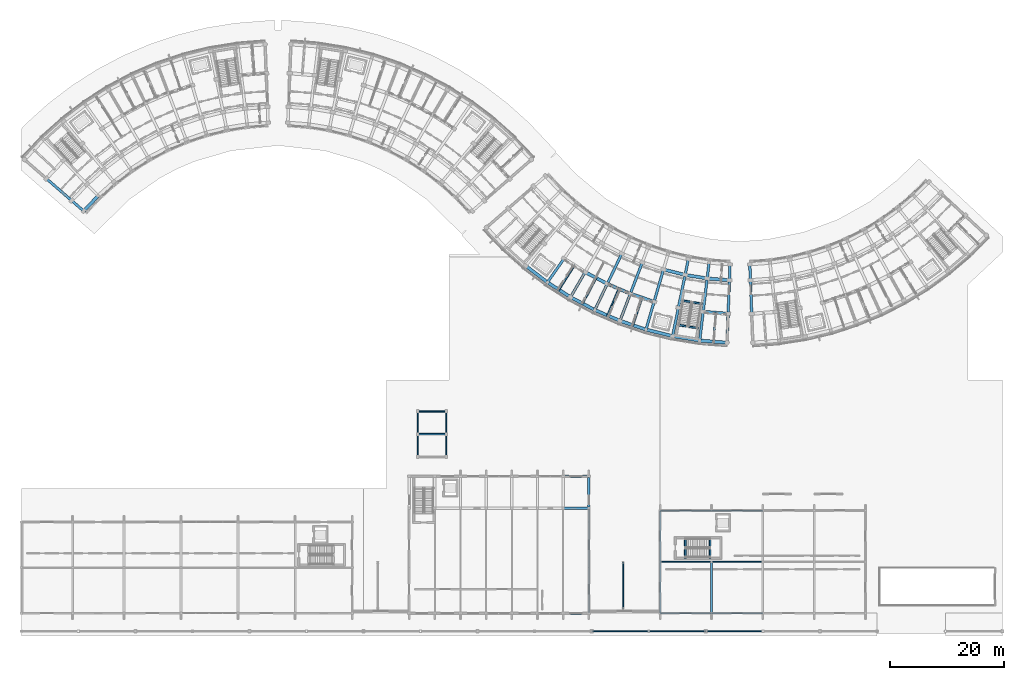
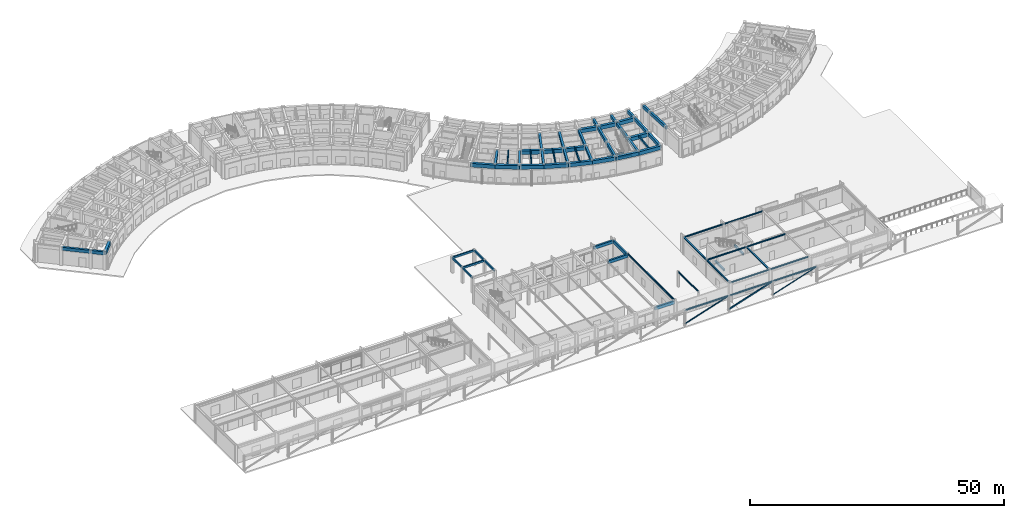
# One storey, part 15 of 61: 70 beams, 3 members.
"""IFC4 building model written with IfcOpenShell, lengths in metres."""

from ifc_helpers import new_model, si_unit, direction, frame, origin, origin_2d, place, context, subcontext, project, spatial, rectangle, hollow_rectangle, i_section, extrude, material, material_profile, profile_set, type_object, element, save


model = new_model("IFC4")

# Units and contexts
model_context = context("Model", 3, precision=1e-05, world=origin(), true_north=direction((0.0, 1.0)))
body_context = subcontext(model_context, "Body", "Model", "MODEL_VIEW")
ifc_project = project(units=[si_unit("LENGTHUNIT", "METRE"), si_unit("AREAUNIT", "SQUARE_METRE"), si_unit("VOLUMEUNIT", "CUBIC_METRE"), si_unit("PLANEANGLEUNIT", "RADIAN"), si_unit("MASSUNIT", "GRAM", prefix="KILO")], contexts=[model_context])

# Site, building, storey
site_placement = place(None, origin())
site = spatial("IfcSite", under=ifc_project, at=site_placement, CompositionType="ELEMENT")
building_placement = place(site_placement, origin())
building = spatial("IfcBuilding", under=site, at=building_placement, Name="Zimvara Arc Housing Community", CompositionType="ELEMENT")
storey_placement = place(building_placement, origin())
storey = spatial("IfcBuildingStorey", under=building, at=storey_placement, Name="L00", CompositionType="ELEMENT", Elevation=0.0)

# Beams
ifc_material_1 = material(Name="Concrete C40/50", Category="concrete")
ifc_material_profile_1 = material_profile(ifc_material_1, rectangle(XDim=0.25, YDim=0.449951171875, at=origin_2d()), Name="RC 250x450")
ifc_profile_set_1 = profile_set([ifc_material_profile_1], Name="Concrete C40/50")
beam_type_1 = type_object("IfcBeamType", Name="BM-RC-250x450", PredefinedType="JOIST", material=ifc_profile_set_1)
for number, where, z_axis, x_axis, name in (
    (1, (97.00244140625, 64.583984375, 4.034912109375), (-0.539052331508, -0.842272274206, 0.0), (0.842272274206, -0.539052331508, 0.0), "bm:blkC:L00:joist:b3"),
    (2, (100.793212890625, 62.37060546875, 4.034912109375), (-0.46853732736, -0.883443701019, 0.0), (0.883443701019, -0.46853732736, 0.0), "bm:blkC:L00:joist:b4"),
    (3, (104.751953125, 60.473876953125, 4.034912109375), (-0.394946561353, -0.918704094731, 0.0), (0.918704094731, -0.394946561353, 0.0), "bm:blkC:L00:joist:b5"),
    (4, (108.85205078125, 58.906494140625, 4.034912109375), (-0.318622196545, -0.947881794249, 0.0), (0.947881794249, -0.318622196545, 0.0), "bm:blkC:L00:joist:b6"),
    (5, (121.72509765625, 56.2734375, 4.034912109375), (-0.079171686291, -0.99686099537, 0.0), (0.99686099537, -0.079171686291, 0.0), "bm:blkC:L00:joist:b9"),
):
    element("IfcBeam", number, at=place(storey_placement, frame(where, z_axis=z_axis, x_axis=x_axis)), inside=storey, type_object=beam_type_1, Name=name, PredefinedType="JOIST", context=body_context, shape_type="SweptSolid", body=[
        extrude(rectangle(XDim=0.25, YDim=0.449951171875, at=origin_2d()), origin(), (0.0, 0.0, 1.0), 5.07568359375),
    ])
ifc_material_2 = material(Name="Concrete C40/50", Category="concrete")
ifc_material_profile_2 = material_profile(ifc_material_2, rectangle(XDim=0.300048828125, YDim=0.5, at=origin_2d()), Name="RC 300x500")
ifc_profile_set_2 = profile_set([ifc_material_profile_2], Name="Concrete C40/50")
beam_type_2 = type_object("IfcBeamType", Name="BM-RC-300x500", PredefinedType="BEAM", material=ifc_profile_set_2)
beam_1_placement = place(storey_placement, frame((115.822265625, 58.423095703125, -0.25), z_axis=(0.987080057935, -0.160227835371, 0.0), x_axis=(0.160227835371, 0.987080057935, 0.0)))
element("IfcBeam", 6, at=beam_1_placement, inside=storey, type_object=beam_type_2, Name="bm:stair_trim:ST-C2:L00:near", PredefinedType="BEAM", context=body_context, shape_type="SweptSolid", body=[
    extrude(rectangle(XDim=0.300048828125, YDim=0.5, at=origin_2d()), origin(), (0.0, 0.0, 1.0), 3.570068359375),
])
beam_2_placement = place(storey_placement, frame((115.126953125, 54.13916015625, 2.0), z_axis=(0.987078302092, -0.160238651826, 0.0), x_axis=(0.160238651826, 0.987078302092, 0.0)))
element("IfcBeam", 7, at=beam_2_placement, inside=storey, type_object=beam_type_2, Name="bm:stair_trim:ST-C2:L00:mid", PredefinedType="BEAM", context=body_context, shape_type="SweptSolid", body=[
    extrude(rectangle(XDim=0.300048828125, YDim=0.5, at=origin_2d()), origin(), (0.0, 0.0, 1.0), 3.56982421875),
])
for number, where, z_axis, x_axis, name in (
    (8, (116.3798828125, 13.2548828125, -0.25), (0.0, 1.0, 0.0), (-1.0, 0.0, 0.0), "bm:stair_trim:ST-N1:L00:near"),
    (9, (120.748046875, 13.2548828125, 2.0), (0.0, 1.0, 0.0), (-1.0, 0.0, 0.0), "bm:stair_trim:ST-N1:L00:mid"),
):
    element("IfcBeam", number, at=place(storey_placement, frame(where, z_axis=z_axis, x_axis=x_axis)), inside=storey, type_object=beam_type_2, Name=name, PredefinedType="BEAM", context=body_context, shape_type="SweptSolid", body=[
        extrude(rectangle(XDim=0.300048828125, YDim=0.5, at=origin_2d()), origin(), (0.0, 0.0, 1.0), 3.570068359375),
    ])
ifc_material_3 = material(Name="Concrete C40/50", Category="concrete")
ifc_material_profile_3 = material_profile(ifc_material_3, rectangle(XDim=0.39990234375, YDim=0.699951171875, at=origin_2d()), Name="RC 400x700")
ifc_profile_set_3 = profile_set([ifc_material_profile_3], Name="Concrete C40/50")
beam_type_3 = type_object("IfcBeamType", Name="BM-RC-400x700", PredefinedType="BEAM", material=ifc_profile_set_3)
for number, where, z_axis, x_axis, name in (
    (10, (95.0, 3.60009765625, 3.889892578125), (1.0, 0.0, 0.0), (0.0, 1.0, 0.0), "bm:hall:L00:long:y0:b6"),
    (11, (95.0, 22.0, 3.889892578125), (1.0, 0.0, 0.0), (0.0, 1.0, 0.0), "bm:hall:L00:long:y1:b6"),
    (12, (95.0, 27.60009765625, 3.889892578125), (1.0, 0.0, 0.0), (0.0, 1.0, 0.0), "bm:hall:L00:long:y2:b6"),
):
    element("IfcBeam", number, at=place(storey_placement, frame(where, z_axis=z_axis, x_axis=x_axis)), inside=storey, type_object=beam_type_3, Name=name, PredefinedType="BEAM", context=body_context, shape_type="SweptSolid", body=[
        extrude(rectangle(XDim=0.39990234375, YDim=0.699951171875, at=origin_2d()), origin(), (0.0, 0.0, 1.0), 4.5),
    ])
beam_3_placement = place(storey_placement, frame((99.5, 22.0, 3.889892578125), z_axis=(0.0, 1.0, 0.0), x_axis=(-1.0, 0.0, 0.0)))
element("IfcBeam", 13, at=beam_3_placement, inside=storey, type_object=beam_type_3, Name="bm:hall:L00:trans2:x7", PredefinedType="BEAM", context=body_context, shape_type="SweptSolid", body=[
    extrude(rectangle(XDim=0.39990234375, YDim=0.699951171875, at=origin_2d()), origin(), (0.0, 0.0, 1.0), 5.60009765625),
])
ifc_material_4 = material(Name="Concrete C40/50", Category="concrete")
ifc_material_profile_4 = material_profile(ifc_material_4, rectangle(XDim=0.449951171875, YDim=0.75, at=origin_2d()), Name="RC 450x750")
ifc_profile_set_4 = profile_set([ifc_material_profile_4], Name="Concrete C40/50")
beam_type_4 = type_object("IfcBeamType", Name="BM-RC-450x750", PredefinedType="BEAM", material=ifc_profile_set_4)
beam_4_placement = place(storey_placement, frame((10.947509765625, 74.101318359375, 3.885009765625), z_axis=(-0.754733151583, 0.656031912259, 0.0), x_axis=(-0.656031912259, -0.754733151583, 0.0)))
element("IfcBeam", 14, at=beam_4_placement, inside=storey, type_object=beam_type_4, Name="bm:blkA:L00:rad:b0:r01", PredefinedType="BEAM", context=body_context, shape_type="SweptSolid", body=[
    extrude(rectangle(XDim=0.449951171875, YDim=0.75, at=origin_2d()), origin(), (0.0, 0.0, 1.0), 2.800048828125),
])
beam_5_placement = place(storey_placement, frame((8.834228515625, 75.938232421875, 3.885009765625), z_axis=(-0.754692223258, 0.656078995362, 0.0), x_axis=(-0.656078995362, -0.754692223258, 0.0)))
element("IfcBeam", 15, at=beam_5_placement, inside=storey, type_object=beam_type_4, Name="bm:blkA:L00:rad:b0:r12", PredefinedType="BEAM", context=body_context, shape_type="SweptSolid", body=[
    extrude(rectangle(XDim=0.449951171875, YDim=0.75, at=origin_2d()), origin(), (0.0, 0.0, 1.0), 5.8798828125),
])
beam_6_placement = place(storey_placement, frame((95.15234375, 65.76806640625, 3.885009765625), z_axis=(-0.573007469479, -0.819550144848, 0.0), x_axis=(0.819550144848, -0.573007469479, 0.0)))
element("IfcBeam", 16, at=beam_6_placement, inside=storey, type_object=beam_type_4, Name="bm:blkC:L00:rad:b3:r23", PredefinedType="BEAM", context=body_context, shape_type="SweptSolid", body=[
    extrude(rectangle(XDim=0.449951171875, YDim=0.75, at=origin_2d()), origin(), (0.0, 0.0, 1.0), 5.080078125),
])
beam_7_placement = place(storey_placement, frame((98.8525390625, 63.39990234375, 3.885009765625), z_axis=(-0.504196701544, -0.863588840915, 0.0), x_axis=(0.863588840915, -0.504196701544, 0.0)))
element("IfcBeam", 17, at=beam_7_placement, inside=storey, type_object=beam_type_4, Name="bm:blkC:L00:rad:b4:r23", PredefinedType="BEAM", context=body_context, shape_type="SweptSolid", body=[
    extrude(rectangle(XDim=0.449951171875, YDim=0.75, at=origin_2d()), origin(), (0.0, 0.0, 1.0), 5.079833984375),
])
beam_8_placement = place(storey_placement, frame((105.2744140625, 66.644287109375, 3.885009765625), z_axis=(-0.432053349188, -0.901848048983, 0.0), x_axis=(0.901848048983, -0.432053349188, 0.0)))
element("IfcBeam", 18, at=beam_8_placement, inside=storey, type_object=beam_type_4, Name="bm:blkC:L00:rad:b5:r12", PredefinedType="BEAM", context=body_context, shape_type="SweptSolid", body=[
    extrude(rectangle(XDim=0.449951171875, YDim=0.75, at=origin_2d()), origin(), (0.0, 0.0, 1.0), 5.880126953125),
])
beam_9_placement = place(storey_placement, frame((102.73388671875, 61.34130859375, 3.885009765625), z_axis=(-0.432098194978, -0.901826563091, 0.0), x_axis=(0.901826563091, -0.432098194978, 0.0)))
element("IfcBeam", 19, at=beam_9_placement, inside=storey, type_object=beam_type_4, Name="bm:blkC:L00:rad:b5:r23", PredefinedType="BEAM", context=body_context, shape_type="SweptSolid", body=[
    extrude(rectangle(XDim=0.449951171875, YDim=0.75, at=origin_2d()), origin(), (0.0, 0.0, 1.0), 5.080078125),
])
beam_10_placement = place(storey_placement, frame((108.869384765625, 65.098876953125, 3.885009765625), z_axis=(-0.357036247742, -0.934090529766, 0.0), x_axis=(0.934090529766, -0.357036247742, 0.0)))
element("IfcBeam", 20, at=beam_10_placement, inside=storey, type_object=beam_type_4, Name="bm:blkC:L00:rad:b6:r12", PredefinedType="BEAM", context=body_context, shape_type="SweptSolid", body=[
    extrude(rectangle(XDim=0.449951171875, YDim=0.75, at=origin_2d()), origin(), (0.0, 0.0, 1.0), 5.8798828125),
])
beam_11_placement = place(storey_placement, frame((106.77001953125, 59.6064453125, 3.885009765625), z_axis=(-0.357078271386, -0.934074466038, 0.0), x_axis=(0.934074466038, -0.357078271386, 0.0)))
element("IfcBeam", 21, at=beam_11_placement, inside=storey, type_object=beam_type_4, Name="bm:blkC:L00:rad:b6:r23", PredefinedType="BEAM", context=body_context, shape_type="SweptSolid", body=[
    extrude(rectangle(XDim=0.449951171875, YDim=0.75, at=origin_2d()), origin(), (0.0, 0.0, 1.0), 5.080078125),
])
beam_12_placement = place(storey_placement, frame((112.57861328125, 63.85205078125, 3.885009765625), z_axis=(-0.27964761269, -0.960102709462, 0.0), x_axis=(0.960102709462, -0.27964761269, 0.0)))
element("IfcBeam", 22, at=beam_12_placement, inside=storey, type_object=beam_type_4, Name="bm:blkC:L00:rad:b7:r12", PredefinedType="BEAM", context=body_context, shape_type="SweptSolid", body=[
    extrude(rectangle(XDim=0.449951171875, YDim=0.75, at=origin_2d()), origin(), (0.0, 0.0, 1.0), 5.8798828125),
])
beam_13_placement = place(storey_placement, frame((110.934326171875, 58.206787109375, 3.885009765625), z_axis=(-0.279693649113, -0.960089299308, 0.0), x_axis=(0.960089299308, -0.279693649113, 0.0)))
element("IfcBeam", 23, at=beam_13_placement, inside=storey, type_object=beam_type_4, Name="bm:blkC:L00:rad:b7:r23", PredefinedType="BEAM", context=body_context, shape_type="SweptSolid", body=[
    extrude(rectangle(XDim=0.449951171875, YDim=0.75, at=origin_2d()), origin(), (0.0, 0.0, 1.0), 5.080078125),
])
beam_14_placement = place(storey_placement, frame((116.938232421875, 65.6552734375, 3.885009765625), z_axis=(-0.20037341071, -0.979719600845, 0.0), x_axis=(0.979719600845, -0.20037341071, 0.0)))
element("IfcBeam", 24, at=beam_14_placement, inside=storey, type_object=beam_type_4, Name="bm:blkC:L00:rad:b8:r01", PredefinedType="BEAM", context=body_context, shape_type="SweptSolid", body=[
    extrude(rectangle(XDim=0.449951171875, YDim=0.75, at=origin_2d()), origin(), (0.0, 0.0, 1.0), 2.800048828125),
])
beam_15_placement = place(storey_placement, frame((116.377197265625, 62.912109375, 3.885009765625), z_axis=(-0.200417973989, -0.979710485655, 0.0), x_axis=(0.979710485655, -0.200417973989, 0.0)))
element("IfcBeam", 25, at=beam_15_placement, inside=storey, type_object=beam_type_4, Name="bm:blkC:L00:rad:b8:r12", PredefinedType="BEAM", context=body_context, shape_type="SweptSolid", body=[
    extrude(rectangle(XDim=0.449951171875, YDim=0.75, at=origin_2d()), origin(), (0.0, 0.0, 1.0), 5.880126953125),
])
beam_16_placement = place(storey_placement, frame((115.19873046875, 57.1513671875, 3.885009765625), z_axis=(-0.200356397601, -0.979723080233, 0.0), x_axis=(0.979723080233, -0.200356397601, 0.0)))
element("IfcBeam", 26, at=beam_16_placement, inside=storey, type_object=beam_type_4, Name="bm:blkC:L00:rad:b8:r23", PredefinedType="BEAM", context=body_context, shape_type="SweptSolid", body=[
    extrude(rectangle(XDim=0.449951171875, YDim=0.75, at=origin_2d()), origin(), (0.0, 0.0, 1.0), 5.080078125),
])
beam_17_placement = place(storey_placement, frame((120.574951171875, 65.06494140625, 3.885009765625), z_axis=(-0.119719398078, -0.992807768767, 0.0), x_axis=(0.992807768767, -0.119719398078, 0.0)))
element("IfcBeam", 27, at=beam_17_placement, inside=storey, type_object=beam_type_4, Name="bm:blkC:L00:rad:b9:r01", PredefinedType="BEAM", context=body_context, shape_type="SweptSolid", body=[
    extrude(rectangle(XDim=0.449951171875, YDim=0.75, at=origin_2d()), origin(), (0.0, 0.0, 1.0), 2.7998046875),
])
beam_18_placement = place(storey_placement, frame((120.23974609375, 62.28515625, 3.885009765625), z_axis=(-0.119786997154, -0.992799614884, 0.0), x_axis=(0.992799614884, -0.119786997154, 0.0)))
element("IfcBeam", 28, at=beam_18_placement, inside=storey, type_object=beam_type_4, Name="bm:blkC:L00:rad:b9:r12", PredefinedType="BEAM", context=body_context, shape_type="SweptSolid", body=[
    extrude(rectangle(XDim=0.449951171875, YDim=0.75, at=origin_2d()), origin(), (0.0, 0.0, 1.0), 5.8798828125),
])
beam_19_placement = place(storey_placement, frame((119.535400390625, 56.447509765625, 3.885009765625), z_axis=(-0.119810359757, -0.992796795772, 0.0), x_axis=(0.992796795772, -0.119810359757, 0.0)))
element("IfcBeam", 29, at=beam_19_placement, inside=storey, type_object=beam_type_4, Name="bm:blkC:L00:rad:b9:r23", PredefinedType="BEAM", context=body_context, shape_type="SweptSolid", body=[
    extrude(rectangle(XDim=0.449951171875, YDim=0.75, at=origin_2d()), origin(), (0.0, 0.0, 1.0), 5.080078125),
])
beam_20_placement = place(storey_placement, frame((124.248046875, 64.773193359375, 3.885009765625), z_axis=(-0.038453214409, -0.999260401648, 0.0), x_axis=(0.999260401648, -0.038453214409, 0.0)))
element("IfcBeam", 30, at=beam_20_placement, inside=storey, type_object=beam_type_4, Name="bm:blkC:L00:rad:b10:r01", PredefinedType="BEAM", context=body_context, shape_type="SweptSolid", body=[
    extrude(rectangle(XDim=0.449951171875, YDim=0.75, at=origin_2d()), origin(), (0.0, 0.0, 1.0), 2.7998046875),
])
beam_21_placement = place(storey_placement, frame((124.140380859375, 61.975341796875, 3.885009765625), z_axis=(-0.038364555613, -0.999263809448, 0.0), x_axis=(0.999263809448, -0.038364555613, 0.0)))
element("IfcBeam", 31, at=beam_21_placement, inside=storey, type_object=beam_type_4, Name="bm:blkC:L00:rad:b10:r12", PredefinedType="BEAM", context=body_context, shape_type="SweptSolid", body=[
    extrude(rectangle(XDim=0.449951171875, YDim=0.75, at=origin_2d()), origin(), (0.0, 0.0, 1.0), 5.880126953125),
])
beam_22_placement = place(storey_placement, frame((123.914794921875, 56.099609375, 3.885009765625), z_axis=(-0.038399898954, -0.999262451892, 0.0), x_axis=(0.999262451892, -0.038399898954, 0.0)))
element("IfcBeam", 32, at=beam_22_placement, inside=storey, type_object=beam_type_4, Name="bm:blkC:L00:rad:b10:r23", PredefinedType="BEAM", context=body_context, shape_type="SweptSolid", body=[
    extrude(rectangle(XDim=0.449951171875, YDim=0.75, at=origin_2d()), origin(), (0.0, 0.0, 1.0), 5.079833984375),
])
beam_23_placement = place(storey_placement, frame((127.712158203125, 64.773193359375, 3.885009765625), z_axis=(0.038366147405, -0.999263748333, 0.0), x_axis=(0.999263748333, 0.038366147405, 0.0)))
element("IfcBeam", 33, at=beam_23_placement, inside=storey, type_object=beam_type_4, Name="bm:blkD:L00:rad:b0:r01", PredefinedType="BEAM", context=body_context, shape_type="SweptSolid", body=[
    extrude(rectangle(XDim=0.449951171875, YDim=0.75, at=origin_2d()), origin(), (0.0, 0.0, 1.0), 2.7998046875),
])
beam_24_placement = place(storey_placement, frame((127.819580078125, 61.975341796875, 3.885009765625), z_axis=(0.038364555613, -0.999263809448, 0.0), x_axis=(0.999263809448, 0.038364555613, 0.0)))
element("IfcBeam", 34, at=beam_24_placement, inside=storey, type_object=beam_type_4, Name="bm:blkD:L00:rad:b0:r12", PredefinedType="BEAM", context=body_context, shape_type="SweptSolid", body=[
    extrude(rectangle(XDim=0.449951171875, YDim=0.75, at=origin_2d()), origin(), (0.0, 0.0, 1.0), 5.880126953125),
])
ifc_material_5 = material(Name="Concrete C40/50", Category="concrete")
ifc_material_profile_5 = material_profile(ifc_material_5, rectangle(XDim=0.56005859375, YDim=0.8798828125, at=origin_2d()), Name="RC 560x880")
ifc_profile_set_5 = profile_set([ifc_material_profile_5], Name="Concrete C40/50")
beam_type_5 = type_object("IfcBeamType", Name="BM-RC-560x880", PredefinedType="BEAM", material=ifc_profile_set_5)
beam_25_placement = place(storey_placement, frame((10.947509765625, 74.101318359375, 3.820068359375), z_axis=(0.686335517678, 0.727285059088, 0.0), x_axis=(-0.727285059088, 0.686335517678, 0.0)))
element("IfcBeam", 35, at=beam_25_placement, inside=storey, type_object=beam_type_5, Name="bm:blkA:L00:chord:r0:b0", PredefinedType="BEAM", context=body_context, shape_type="SweptSolid", body=[
    extrude(rectangle(XDim=0.56005859375, YDim=0.8798828125, at=origin_2d()), origin(), (0.0, 0.0, 1.0), 3.6845703125),
])
for number, where, z_axis, x_axis, name in (
    (36, (112.57861328125, 63.85205078125, 3.820068359375), (0.970723220586, -0.240200809773, 0.0), (0.240200809773, 0.970723220586, 0.0), "bm:blkC:L00:chord:r1:b7"),
    (37, (116.377197265625, 62.912109375, 3.820068359375), (0.987081487371, -0.160219029111, 0.0), (0.160219029111, 0.987081487371, 0.0), "bm:blkC:L00:chord:r1:b8"),
):
    element("IfcBeam", number, at=place(storey_placement, frame(where, z_axis=z_axis, x_axis=x_axis)), inside=storey, type_object=beam_type_5, Name=name, PredefinedType="BEAM", context=body_context, shape_type="SweptSolid", body=[
        extrude(rectangle(XDim=0.56005859375, YDim=0.8798828125, at=origin_2d()), origin(), (0.0, 0.0, 1.0), 3.9130859375),
    ])
beam_26_placement = place(storey_placement, frame((120.23974609375, 62.28515625, 3.820068359375), z_axis=(0.99686054795, -0.079177319606, 0.0), x_axis=(0.079177319606, 0.99686054795, 0.0)))
element("IfcBeam", 38, at=beam_26_placement, inside=storey, type_object=beam_type_5, Name="bm:blkC:L00:chord:r1:b9", PredefinedType="BEAM", context=body_context, shape_type="SweptSolid", body=[
    extrude(rectangle(XDim=0.56005859375, YDim=0.8798828125, at=origin_2d()), origin(), (0.0, 0.0, 1.0), 3.912841796875),
])
beam_27_placement = place(storey_placement, frame((98.8525390625, 63.39990234375, 3.820068359375), z_axis=(0.883433524437, -0.468556515162, 0.0), x_axis=(0.468556515162, 0.883433524437, 0.0)))
element("IfcBeam", 39, at=beam_27_placement, inside=storey, type_object=beam_type_5, Name="bm:blkC:L00:chord:r2:b4", PredefinedType="BEAM", context=body_context, shape_type="SweptSolid", body=[
    extrude(rectangle(XDim=0.56005859375, YDim=0.8798828125, at=origin_2d()), origin(), (0.0, 0.0, 1.0), 4.3935546875),
])
for number, where, z_axis, x_axis, name in (
    (40, (102.73388671875, 61.34130859375, 3.820068359375), (0.918724840088, -0.394898301093, 0.0), (0.394898301093, 0.918724840088, 0.0), "bm:blkC:L00:chord:r2:b5"),
    (41, (106.77001953125, 59.6064453125, 3.820068359375), (0.947891222174, -0.318594147665, 0.0), (0.318594147665, 0.947891222174, 0.0), "bm:blkC:L00:chord:r2:b6"),
    (42, (119.535400390625, 56.447509765625, 3.820068359375), (0.996859476344, -0.079190810224, 0.0), (0.079190810224, 0.996859476344, 0.0), "bm:blkC:L00:chord:r2:b9"),
):
    element("IfcBeam", number, at=place(storey_placement, frame(where, z_axis=z_axis, x_axis=x_axis)), inside=storey, type_object=beam_type_5, Name=name, PredefinedType="BEAM", context=body_context, shape_type="SweptSolid", body=[
        extrude(rectangle(XDim=0.56005859375, YDim=0.8798828125, at=origin_2d()), origin(), (0.0, 0.0, 1.0), 4.393310546875),
    ])
for number, where, z_axis, x_axis, name in (
    (43, (88.416748046875, 64.518310546875, 3.820068359375), (0.795480673672, -0.605978958228, 0.0), (0.605978958228, 0.795480673672, 0.0), "bm:blkC:L00:chord:r3:b2"),
    (44, (92.241455078125, 61.604736328125, 3.820068359375), (0.842278777856, -0.539042169383, 0.0), (0.539042169383, 0.842278777856, 0.0), "bm:blkC:L00:chord:r3:b3"),
    (45, (96.291259765625, 59.012939453125, 3.820068359375), (0.883424523434, -0.468573485587, 0.0), (0.468573485587, 0.883424523434, 0.0), "bm:blkC:L00:chord:r3:b4"),
    (46, (100.538818359375, 56.760009765625, 3.820068359375), (0.918724276228, -0.394899612901, 0.0), (0.394899612901, 0.918724276228, 0.0), "bm:blkC:L00:chord:r3:b5"),
):
    element("IfcBeam", number, at=place(storey_placement, frame(where, z_axis=z_axis, x_axis=x_axis)), inside=storey, type_object=beam_type_5, Name=name, PredefinedType="BEAM", context=body_context, shape_type="SweptSolid", body=[
        extrude(rectangle(XDim=0.56005859375, YDim=0.8798828125, at=origin_2d()), origin(), (0.0, 0.0, 1.0), 4.80810546875),
    ])
beam_28_placement = place(storey_placement, frame((104.9560546875, 54.861328125, 3.820068359375), z_axis=(0.947877948153, -0.31863363822, 0.0), x_axis=(0.31863363822, 0.947877948153, 0.0)))
element("IfcBeam", 47, at=beam_28_placement, inside=storey, type_object=beam_type_5, Name="bm:blkC:L00:chord:r3:b6", PredefinedType="BEAM", context=body_context, shape_type="SweptSolid", body=[
    extrude(rectangle(XDim=0.56005859375, YDim=0.8798828125, at=origin_2d()), origin(), (0.0, 0.0, 1.0), 4.807861328125),
])
beam_29_placement = place(storey_placement, frame((109.513427734375, 53.329345703125, 3.820068359375), z_axis=(0.970719165502, -0.240217196986, 0.0), x_axis=(0.240217196986, 0.970719165502, 0.0)))
element("IfcBeam", 48, at=beam_29_placement, inside=storey, type_object=beam_type_5, Name="bm:blkC:L00:chord:r3:b7", PredefinedType="BEAM", context=body_context, shape_type="SweptSolid", body=[
    extrude(rectangle(XDim=0.56005859375, YDim=0.8798828125, at=origin_2d()), origin(), (0.0, 0.0, 1.0), 4.808349609375),
])
beam_30_placement = place(storey_placement, frame((114.180908203125, 52.17431640625, 3.820068359375), z_axis=(0.987083566885, -0.160206217065, 0.0), x_axis=(0.160206217065, 0.987083566885, 0.0)))
element("IfcBeam", 49, at=beam_30_placement, inside=storey, type_object=beam_type_5, Name="bm:blkC:L00:chord:r3:b8", PredefinedType="BEAM", context=body_context, shape_type="SweptSolid", body=[
    extrude(rectangle(XDim=0.56005859375, YDim=0.8798828125, at=origin_2d()), origin(), (0.0, 0.0, 1.0), 4.807861328125),
])
beam_31_placement = place(storey_placement, frame((118.9267578125, 51.404052734375, 3.820068359375), z_axis=(0.996861768207, -0.0791619548, 0.0), x_axis=(0.0791619548, 0.996861768207, 0.0)))
element("IfcBeam", 50, at=beam_31_placement, inside=storey, type_object=beam_type_5, Name="bm:blkC:L00:chord:r3:b9", PredefinedType="BEAM", context=body_context, shape_type="SweptSolid", body=[
    extrude(rectangle(XDim=0.56005859375, YDim=0.8798828125, at=origin_2d()), origin(), (0.0, 0.0, 1.0), 4.80810546875),
])
ifc_material_6 = material(Name="Concrete C40/50", Category="concrete")
ifc_material_profile_6 = material_profile(ifc_material_6, rectangle(XDim=0.25, YDim=0.449951171875, at=origin_2d()), Name="RC 250x450")
ifc_profile_set_6 = profile_set([ifc_material_profile_6], Name="Concrete C40/50")
beam_type_6 = type_object("IfcBeamType", Name="BM-RC-LIN-250x450", PredefinedType="LINTEL", material=ifc_profile_set_6)
for number, where, z_axis, x_axis, name in (
    (51, (69.5, 35.0, 3.550048828125), (1.0, 0.0, 0.0), (0.0, 1.0, 0.0), "bm:lintel:L00:2"),
    (52, (69.5, 39.0, 3.550048828125), (1.0, 0.0, 0.0), (0.0, 1.0, 0.0), "bm:lintel:L00:3"),
):
    element("IfcBeam", number, at=place(storey_placement, frame(where, z_axis=z_axis, x_axis=x_axis)), inside=storey, type_object=beam_type_6, Name=name, PredefinedType="LINTEL", context=body_context, shape_type="SweptSolid", body=[
        extrude(rectangle(XDim=0.25, YDim=0.449951171875, at=origin_2d()), origin(), (0.0, 0.0, 1.0), 5.0),
    ])
for number, where, z_axis, x_axis, name in (
    (53, (69.5, 31.0, 3.550048828125), (0.0, 1.0, 0.0), (-1.0, 0.0, 0.0), "bm:lintel:L00:4"),
    (54, (69.5, 35.0, 3.550048828125), (0.0, 1.0, 0.0), (-1.0, 0.0, 0.0), "bm:lintel:L00:5"),
    (55, (74.5, 31.0, 3.550048828125), (0.0, 1.0, 0.0), (-1.0, 0.0, 0.0), "bm:lintel:L00:6"),
    (56, (74.5, 35.0, 3.550048828125), (0.0, 1.0, 0.0), (-1.0, 0.0, 0.0), "bm:lintel:L00:7"),
):
    element("IfcBeam", number, at=place(storey_placement, frame(where, z_axis=z_axis, x_axis=x_axis)), inside=storey, type_object=beam_type_6, Name=name, PredefinedType="LINTEL", context=body_context, shape_type="SweptSolid", body=[
        extrude(rectangle(XDim=0.25, YDim=0.449951171875, at=origin_2d()), origin(), (0.0, 0.0, 1.0), 4.0),
    ])
ifc_material_7 = material(Name="Steel S355", Category="steel")
ifc_material_profile_7 = material_profile(ifc_material_7, i_section(OverallWidth=0.280029296875, OverallDepth=0.27001953125, WebThickness=0.008056640625, FlangeThickness=0.012939453125, FilletRadius=0.02392578125, at=origin_2d()), Name="HEA 280")
ifc_profile_set_7 = profile_set([ifc_material_profile_7], Name="Steel S355")
beam_type_7 = type_object("IfcBeamType", Name="BM-ST-HEA280", PredefinedType="BEAM", material=ifc_profile_set_7)
for number, where, z_axis, x_axis, name in (
    (57, (112.0, 3.60009765625, 4.1298828125), (0.0, 1.0, 0.0), (-1.0, 0.0, 0.0), "bm:nursery:L00:y:x0:b0"),
    (58, (112.0, 12.60009765625, 4.1298828125), (0.0, 1.0, 0.0), (-1.0, 0.0, 0.0), "bm:nursery:L00:y:x0:b1"),
    (59, (121.0, 3.60009765625, 4.1298828125), (0.0, 1.0, 0.0), (-1.0, 0.0, 0.0), "bm:nursery:L00:y:x1:b0"),
):
    element("IfcBeam", number, at=place(storey_placement, frame(where, z_axis=z_axis, x_axis=x_axis)), inside=storey, type_object=beam_type_7, Name=name, PredefinedType="BEAM", context=body_context, shape_type="SweptSolid", body=[
        extrude(i_section(OverallWidth=0.280029296875, OverallDepth=0.27001953125, WebThickness=0.008056640625, FlangeThickness=0.012939453125, FilletRadius=0.02392578125, at=origin_2d()), origin(), (0.0, 0.0, 1.0), 9.0),
    ])
ifc_material_8 = material(Name="Steel S355", Category="steel")
ifc_material_profile_8 = material_profile(ifc_material_8, i_section(OverallWidth=0.135009765625, OverallDepth=0.27001953125, WebThickness=0.006591796875, FlangeThickness=0.01025390625, FilletRadius=0.014892578125, at=origin_2d()), Name="IPE 270")
ifc_profile_set_8 = profile_set([ifc_material_profile_8], Name="Steel S355")
beam_type_8 = type_object("IfcBeamType", Name="BM-ST-IPE270", PredefinedType="JOIST", material=ifc_profile_set_8)
for number, where, z_axis, x_axis, name in (
    (60, (100.0, 0.449951171875, 3.60009765625), (1.0, 0.0, 0.0), (0.0, 1.0, 0.0), "bm:colonnade:L00:s1:100"),
    (61, (110.0, 0.449951171875, 3.60009765625), (1.0, 0.0, 0.0), (0.0, 1.0, 0.0), "bm:colonnade:L00:s1:110"),
    (62, (120.0, 0.449951171875, 3.60009765625), (1.0, 0.0, 0.0), (0.0, 1.0, 0.0), "bm:colonnade:L00:s1:120"),
):
    element("IfcBeam", number, at=place(storey_placement, frame(where, z_axis=z_axis, x_axis=x_axis)), inside=storey, type_object=beam_type_8, Name=name, PredefinedType="JOIST", context=body_context, shape_type="SweptSolid", body=[
        extrude(i_section(OverallWidth=0.135009765625, OverallDepth=0.27001953125, WebThickness=0.006591796875, FlangeThickness=0.01025390625, FilletRadius=0.014892578125, at=origin_2d()), origin(), (0.0, 0.0, 1.0), 10.0),
    ])
ifc_material_9 = material(Name="Steel S355", Category="steel")
ifc_material_profile_9 = material_profile(ifc_material_9, i_section(OverallWidth=0.159912109375, OverallDepth=0.330078125, WebThickness=0.007568359375, FlangeThickness=0.011474609375, FilletRadius=0.01806640625, at=origin_2d()), Name="IPE 330")
ifc_profile_set_9 = profile_set([ifc_material_profile_9], Name="Steel S355")
beam_type_9 = type_object("IfcBeamType", Name="BM-ST-IPE330", PredefinedType="BEAM", material=ifc_profile_set_9)
for number, where, z_axis, x_axis, name in (
    (63, (112.0, 3.60009765625, 4.10009765625), (1.0, 0.0, 0.0), (0.0, 1.0, 0.0), "bm:nursery:L00:x:y0:b0"),
    (64, (121.0, 3.60009765625, 4.10009765625), (1.0, 0.0, 0.0), (0.0, 1.0, 0.0), "bm:nursery:L00:x:y0:b1"),
    (65, (112.0, 12.60009765625, 4.10009765625), (1.0, 0.0, 0.0), (0.0, 1.0, 0.0), "bm:nursery:L00:x:y1:b0"),
    (66, (121.0, 12.60009765625, 4.10009765625), (1.0, 0.0, 0.0), (0.0, 1.0, 0.0), "bm:nursery:L00:x:y1:b1"),
    (67, (112.0, 21.60009765625, 4.10009765625), (1.0, 0.0, 0.0), (0.0, 1.0, 0.0), "bm:nursery:L00:x:y2:b0"),
    (68, (121.0, 21.60009765625, 4.10009765625), (1.0, 0.0, 0.0), (0.0, 1.0, 0.0), "bm:nursery:L00:x:y2:b1"),
):
    element("IfcBeam", number, at=place(storey_placement, frame(where, z_axis=z_axis, x_axis=x_axis)), inside=storey, type_object=beam_type_9, Name=name, PredefinedType="BEAM", context=body_context, shape_type="SweptSolid", body=[
        extrude(i_section(OverallWidth=0.159912109375, OverallDepth=0.330078125, WebThickness=0.007568359375, FlangeThickness=0.011474609375, FilletRadius=0.01806640625, at=origin_2d()), origin(), (0.0, 0.0, 1.0), 9.0),
    ])
ifc_material_10 = material(Name="Steel S355", Category="steel")
ifc_material_profile_10 = material_profile(ifc_material_10, i_section(OverallWidth=0.169921875, OverallDepth=0.360107421875, WebThickness=0.008056640625, FlangeThickness=0.0126953125, FilletRadius=0.01806640625, at=origin_2d()), Name="IPE 360")
ifc_profile_set_10 = profile_set([ifc_material_profile_10], Name="Steel S355")
beam_type_10 = type_object("IfcBeamType", Name="BM-ST-IPE360", PredefinedType="BEAM", material=ifc_profile_set_10)
beam_32_placement = place(storey_placement, frame((105.5, 4.5, 3.64990234375), z_axis=(0.0, 1.0, 0.0), x_axis=(-1.0, 0.0, 0.0)))
element("IfcBeam", 69, at=beam_32_placement, inside=storey, type_object=beam_type_10, Name="bm:portal:L00:e", PredefinedType="BEAM", context=body_context, shape_type="SweptSolid", body=[
    extrude(i_section(OverallWidth=0.169921875, OverallDepth=0.360107421875, WebThickness=0.008056640625, FlangeThickness=0.0126953125, FilletRadius=0.01806640625, at=origin_2d()), origin(), (0.0, 0.0, 1.0), 8.0),
])
ifc_material_11 = material(Name="Steel S355", Category="steel")
ifc_material_profile_11 = material_profile(ifc_material_11, i_section(OverallWidth=0.179931640625, OverallDepth=0.39990234375, WebThickness=0.008544921875, FlangeThickness=0.013427734375, FilletRadius=0.02099609375, at=origin_2d()), Name="IPE 400")
ifc_profile_set_11 = profile_set([ifc_material_profile_11], Name="Steel S355")
beam_type_11 = type_object("IfcBeamType", Name="BM-ST-IPE400", PredefinedType="BEAM", material=ifc_profile_set_11)
beam_33_placement = place(storey_placement, frame((99.5, 3.60009765625, 4.300048828125), z_axis=(0.0, 1.0, 0.0), x_axis=(-1.0, 0.0, 0.0)))
element("IfcBeam", 70, at=beam_33_placement, inside=storey, type_object=beam_type_11, Name="bm:hall:L00:trans1:x7", PredefinedType="BEAM", context=body_context, shape_type="SweptSolid", body=[
    extrude(i_section(OverallWidth=0.179931640625, OverallDepth=0.39990234375, WebThickness=0.008544921875, FlangeThickness=0.013427734375, FilletRadius=0.02099609375, at=origin_2d()), origin(), (0.0, 0.0, 1.0), 18.39990234375),
])

# Members
ifc_material_12 = material(Name="Steel S355", Category="steel")
ifc_material_profile_12 = material_profile(ifc_material_12, hollow_rectangle(XDim=0.199951171875, YDim=0.199951171875, WallThickness=0.010009765625, InnerFilletRadius=0.010009765625, OuterFilletRadius=0.02001953125, at=origin_2d()), Name="SHS 200x200x10.0")
ifc_profile_set_12 = profile_set([ifc_material_profile_12], Name="Steel S355")
member_type_1 = type_object("IfcMemberType", Name="MB-BRACE-SHS200", PredefinedType="BRACE", material=ifc_profile_set_12)
member_1_placement = place(storey_placement, frame((100.0, 0.449951171875, 0.35009765625), z_axis=(0.951034068731, 0.0, 0.309086072338), x_axis=(0.0, 1.0, 0.0)))
element("IfcMember", 71, at=member_1_placement, inside=storey, type_object=member_type_1, Name="mb:colonnade:L00:s1:100", PredefinedType="BRACE", context=body_context, shape_type="SweptSolid", body=[
    extrude(hollow_rectangle(XDim=0.199951171875, YDim=0.199951171875, WallThickness=0.010009765625, InnerFilletRadius=0.010009765625, OuterFilletRadius=0.02001953125, at=origin_2d()), origin(), (0.0, 0.0, 1.0), 10.514892578125),
])
ifc_material_13 = material(Name="Steel S355", Category="steel")
ifc_material_profile_13 = material_profile(ifc_material_13, hollow_rectangle(XDim=0.199951171875, YDim=0.300048828125, WallThickness=0.010009765625, InnerFilletRadius=0.010009765625, OuterFilletRadius=0.02001953125, at=origin_2d()), Name="RHS 300x200x10.0")
ifc_profile_set_13 = profile_set([ifc_material_profile_13], Name="Steel S355")
member_type_2 = type_object("IfcMemberType", Name="MB-CHORD-RHS300", PredefinedType="CHORD", material=ifc_profile_set_13)
member_2_placement = place(storey_placement, frame((110.0, 0.449951171875, 0.35009765625), z_axis=(0.951034068731, 0.0, 0.309086072338), x_axis=(0.0, 1.0, 0.0)))
element("IfcMember", 72, at=member_2_placement, inside=storey, type_object=member_type_2, Name="mb:colonnade:L00:s1:110", PredefinedType="CHORD", context=body_context, shape_type="SweptSolid", body=[
    extrude(hollow_rectangle(XDim=0.199951171875, YDim=0.300048828125, WallThickness=0.010009765625, InnerFilletRadius=0.010009765625, OuterFilletRadius=0.02001953125, at=origin_2d()), origin(), (0.0, 0.0, 1.0), 10.514892578125),
])
ifc_material_14 = material(Name="Steel S355", Category="steel")
ifc_material_profile_14 = material_profile(ifc_material_14, hollow_rectangle(XDim=0.10009765625, YDim=0.199951171875, WallThickness=0.008056640625, InnerFilletRadius=0.008056640625, OuterFilletRadius=0.01611328125, at=origin_2d()), Name="RHS 200x100x8.0")
ifc_profile_set_14 = profile_set([ifc_material_profile_14], Name="Steel S355")
member_type_3 = type_object("IfcMemberType", Name="MB-PURLIN-RHS200", PredefinedType="PURLIN", material=ifc_profile_set_14)
member_3_placement = place(storey_placement, frame((120.0, 0.449951171875, 0.35009765625), z_axis=(0.951034068731, 0.0, 0.309086072338), x_axis=(0.0, 1.0, 0.0)))
element("IfcMember", 73, at=member_3_placement, inside=storey, type_object=member_type_3, Name="mb:colonnade:L00:s1:120", PredefinedType="PURLIN", context=body_context, shape_type="SweptSolid", body=[
    extrude(hollow_rectangle(XDim=0.10009765625, YDim=0.199951171875, WallThickness=0.008056640625, InnerFilletRadius=0.008056640625, OuterFilletRadius=0.01611328125, at=origin_2d()), origin(), (0.0, 0.0, 1.0), 10.514892578125),
])

save(model, "model.ifc")
